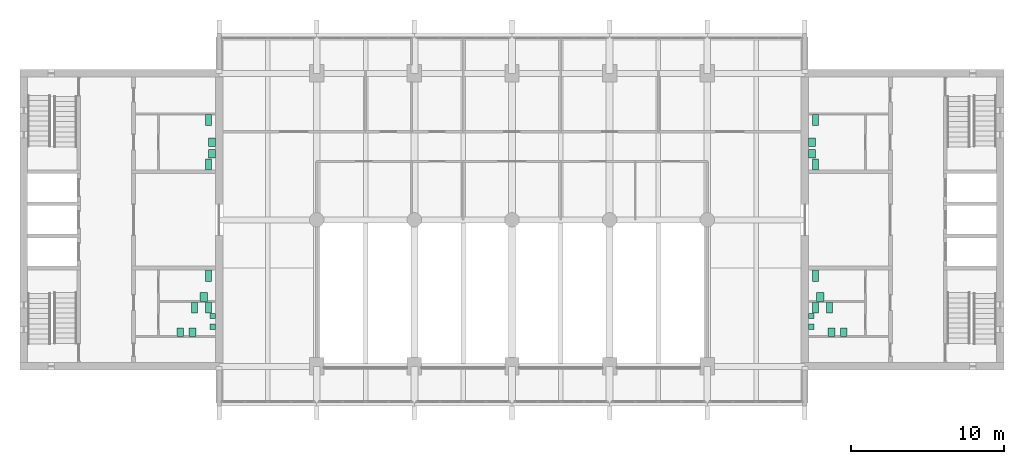
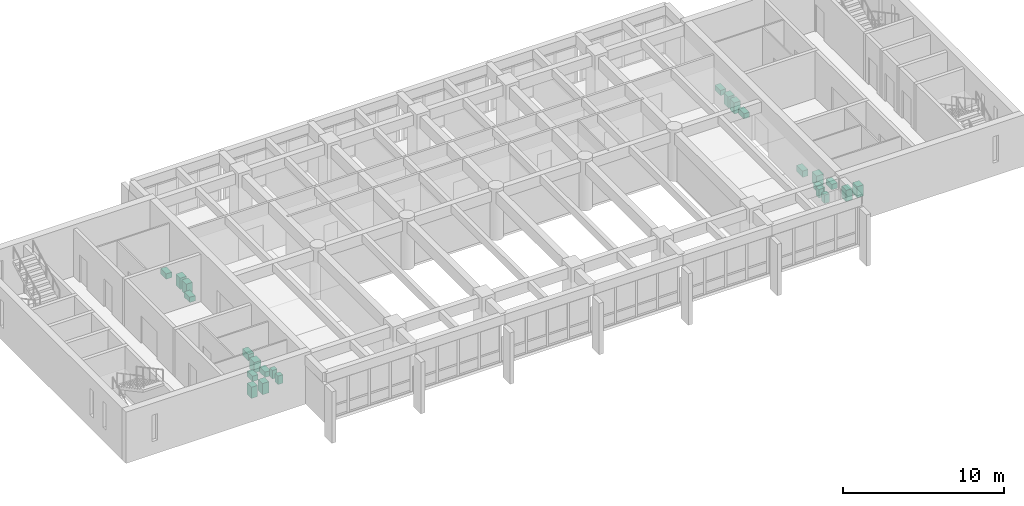
# One storey, part 15 of 15: 24 sanitary terminals.
"""IFC4 building model written with IfcOpenShell, lengths in metres."""

from ifc_helpers import new_model, si_unit, direction, frame, origin, origin_2d, place, context, subcontext, project, spatial, rectangle, extrude, material, type_object, element, save


model = new_model("IFC4")

# Units and contexts
model_context = context("Model", 3, precision=1e-05, world=origin(), true_north=direction((0.0, 1.0)))
body_context = subcontext(model_context, "Body", "Model", "MODEL_VIEW")
ifc_project = project(units=[si_unit("LENGTHUNIT", "METRE"), si_unit("AREAUNIT", "SQUARE_METRE"), si_unit("VOLUMEUNIT", "CUBIC_METRE"), si_unit("PLANEANGLEUNIT", "RADIAN"), si_unit("MASSUNIT", "GRAM", prefix="KILO")], contexts=[model_context])

# Site, building, storey
site_placement = place(None, origin())
site = spatial("IfcSite", under=ifc_project, at=site_placement, CompositionType="ELEMENT")
building_placement = place(site_placement, origin())
building = spatial("IfcBuilding", under=site, at=building_placement, Name="Fogon Plaza Fire Station and Headquarters Tower", CompositionType="ELEMENT")
storey_placement = place(building_placement, frame((0.0, 0.0, 36.60009765625)))
storey = spatial("IfcBuildingStorey", under=building, at=storey_placement, Name="L09", CompositionType="ELEMENT", Elevation=36.60009765625)

# Sanitary terminals
ifc_material_1 = material(Name="Vitreous china")
sanitary_terminal_type_1 = type_object("IfcSanitaryTerminalType", Name="Accessible Hand Basin 600x500", PredefinedType="WASHHANDBASIN", material=ifc_material_1)
for number, where, z_axis, x_axis, name in (
    (1, (24.60009765625, 38.14990234375, 0.0), (0.0, 0.0, 1.0), (1.0, 0.0, 0.0), "Accessible Hand Basin"),
    (2, (65.0, 38.14990234375, 0.0), (0.0, 0.0, 1.0), (1.0, 0.0, 0.0), "Accessible Hand Basin"),
):
    element("IfcSanitaryTerminal", number, at=place(storey_placement, frame(where, z_axis=z_axis, x_axis=x_axis)), inside=storey, type_object=sanitary_terminal_type_1, Name=name, PredefinedType="WASHHANDBASIN", context=body_context, shape_type="SweptSolid", body=[
        extrude(rectangle(XDim=0.5, YDim=0.60009765625, at=origin_2d()), origin(), (0.0, 0.0, 1.0), 0.800048828125),
    ])
ifc_material_2 = material(Name="Vitreous china")
sanitary_terminal_type_2 = type_object("IfcSanitaryTerminalType", Name="Accessible WC Pan 400x750", PredefinedType="TOILETPAN", material=ifc_material_2)
for number, where, z_axis, x_axis, name in (
    (3, (24.89990234375, 39.550048828125, 0.0), (0.0, 0.0, 1.0), (1.0, 0.0, 0.0), "Accessible WC Pan"),
    (4, (64.699951171875, 39.550048828125, 0.0), (0.0, 0.0, 1.0), (1.0, 0.0, 0.0), "Accessible WC Pan"),
):
    element("IfcSanitaryTerminal", number, at=place(storey_placement, frame(where, z_axis=z_axis, x_axis=x_axis)), inside=storey, type_object=sanitary_terminal_type_2, Name=name, PredefinedType="TOILETPAN", context=body_context, shape_type="SweptSolid", body=[
        extrude(rectangle(XDim=0.39990234375, YDim=0.75, at=origin_2d()), origin(), (0.0, 0.0, 1.0), 0.47998046875),
    ])
ifc_material_3 = material(Name="Vitreous china")
sanitary_terminal_type_3 = type_object("IfcSanitaryTerminalType", Name="Hand Basin 550x450", PredefinedType="WASHHANDBASIN", material=ifc_material_3)
for number, where, z_axis, x_axis, name in (
    (5, (23.85009765625, 35.824951171875, -0.000244140625), (0.0, 0.0, 1.0), (1.0, 0.0, 0.0), "Hand Basin"),
    (6, (23.050048828125, 35.824951171875, -0.000244140625), (0.0, 0.0, 1.0), (1.0, 0.0, 0.0), "Hand Basin"),
    (7, (25.125, 47.52490234375, -0.000244140625), (0.0, 0.0, 1.0), (1.0, 0.0, 0.0), "Hand Basin"),
    (8, (25.125, 48.27490234375, -0.000244140625), (0.0, 0.0, 1.0), (1.0, 0.0, 0.0), "Hand Basin"),
    (9, (65.75, 35.824951171875, -0.000244140625), (0.0, 0.0, 1.0), (1.0, 0.0, 0.0), "Hand Basin"),
    (10, (66.550048828125, 35.824951171875, -0.000244140625), (0.0, 0.0, 1.0), (1.0, 0.0, 0.0), "Hand Basin"),
    (11, (64.47509765625, 47.52490234375, -0.000244140625), (0.0, 0.0, 1.0), (1.0, 0.0, 0.0), "Hand Basin"),
    (12, (64.47509765625, 48.27490234375, -0.000244140625), (0.0, 0.0, 1.0), (1.0, 0.0, 0.0), "Hand Basin"),
):
    element("IfcSanitaryTerminal", number, at=place(storey_placement, frame(where, z_axis=z_axis, x_axis=x_axis)), inside=storey, type_object=sanitary_terminal_type_3, Name=name, PredefinedType="WASHHANDBASIN", context=body_context, shape_type="SweptSolid", body=[
        extrude(rectangle(XDim=0.449951171875, YDim=0.550048828125, at=origin_2d()), origin(), (0.0, 0.0, 1.0), 0.85009765625),
    ])
ifc_material_4 = material(Name="Vitreous china")
sanitary_terminal_type_4 = type_object("IfcSanitaryTerminalType", Name="Urinal 350x350", PredefinedType="URINAL", material=ifc_material_4)
for number, where, z_axis, x_axis, name in (
    (13, (25.175048828125, 36.199951171875, 0.0), (0.0, 0.0, 1.0), (1.0, 0.0, 0.0), "Urinal"),
    (14, (25.175048828125, 36.89990234375, 0.0), (0.0, 0.0, 1.0), (1.0, 0.0, 0.0), "Urinal"),
    (15, (64.425048828125, 36.199951171875, 0.0), (0.0, 0.0, 1.0), (1.0, 0.0, 0.0), "Urinal"),
    (16, (64.425048828125, 36.89990234375, 0.0), (0.0, 0.0, 1.0), (1.0, 0.0, 0.0), "Urinal"),
):
    element("IfcSanitaryTerminal", number, at=place(storey_placement, frame(where, z_axis=z_axis, x_axis=x_axis)), inside=storey, type_object=sanitary_terminal_type_4, Name=name, PredefinedType="URINAL", context=body_context, shape_type="SweptSolid", body=[
        extrude(rectangle(XDim=0.35009765625, YDim=0.35009765625, at=origin_2d()), origin(), (0.0, 0.0, 1.0), 0.64990234375),
    ])
ifc_material_5 = material(Name="Vitreous china")
sanitary_terminal_type_5 = type_object("IfcSanitaryTerminalType", Name="WC Pan 400x700", PredefinedType="TOILETPAN", material=ifc_material_5)
for number, where, z_axis, x_axis, name in (
    (17, (24.89990234375, 37.449951171875, 0.0), (0.0, 0.0, 1.0), (1.0, 0.0, 0.0), "WC Pan"),
    (18, (24.0, 37.449951171875, 0.0), (0.0, 0.0, 1.0), (1.0, 0.0, 0.0), "WC Pan"),
    (19, (24.89990234375, 49.75, 0.0), (0.0, 0.0, 1.0), (1.0, 0.0, 0.0), "WC Pan"),
    (20, (24.89990234375, 46.824951171875, 0.0), (0.0, 0.0, 1.0), (1.0, 0.0, 0.0), "WC Pan"),
    (21, (64.699951171875, 37.449951171875, 0.0), (0.0, 0.0, 1.0), (1.0, 0.0, 0.0), "WC Pan"),
    (22, (65.60009765625, 37.449951171875, 0.0), (0.0, 0.0, 1.0), (1.0, 0.0, 0.0), "WC Pan"),
    (23, (64.699951171875, 49.75, 0.0), (0.0, 0.0, 1.0), (1.0, 0.0, 0.0), "WC Pan"),
    (24, (64.699951171875, 46.824951171875, 0.0), (0.0, 0.0, 1.0), (1.0, 0.0, 0.0), "WC Pan"),
):
    element("IfcSanitaryTerminal", number, at=place(storey_placement, frame(where, z_axis=z_axis, x_axis=x_axis)), inside=storey, type_object=sanitary_terminal_type_5, Name=name, PredefinedType="TOILETPAN", context=body_context, shape_type="SweptSolid", body=[
        extrude(rectangle(XDim=0.39990234375, YDim=0.699951171875, at=origin_2d()), origin(), (0.0, 0.0, 1.0), 0.39990234375),
    ])

save(model, "model.ifc")
